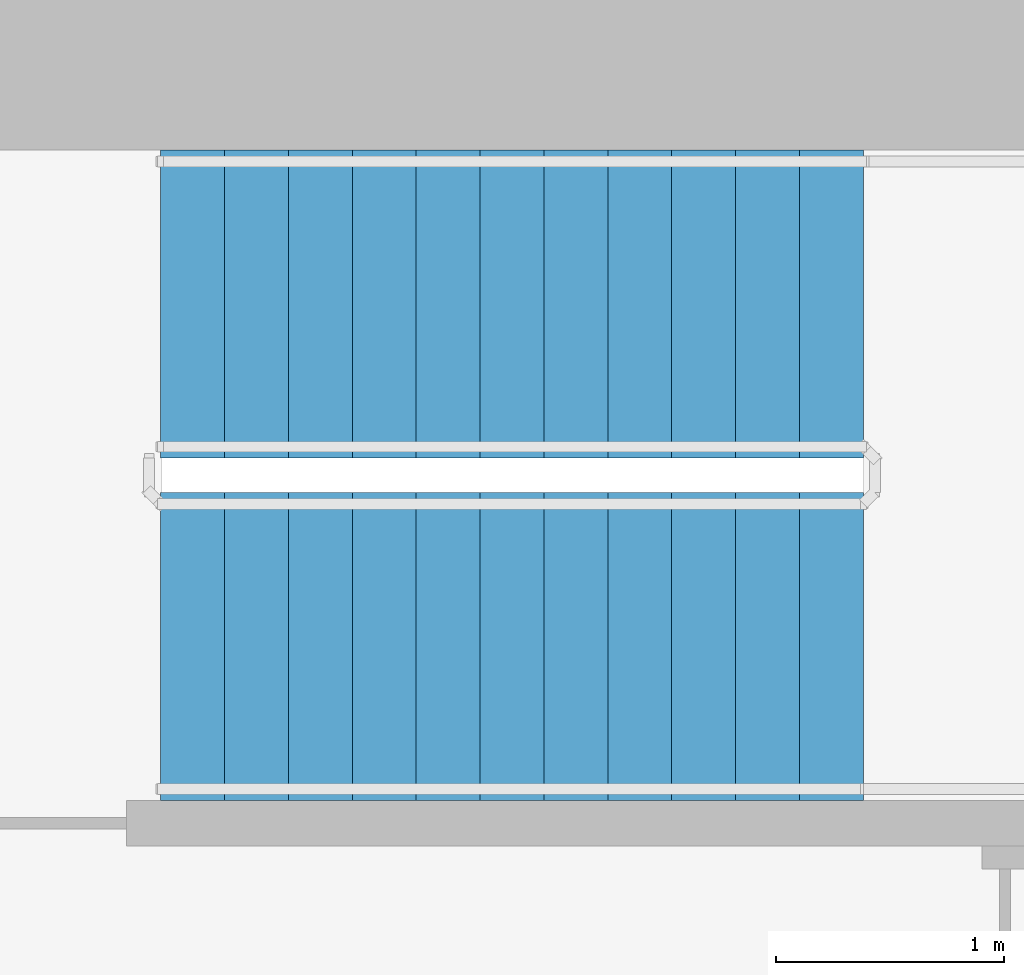
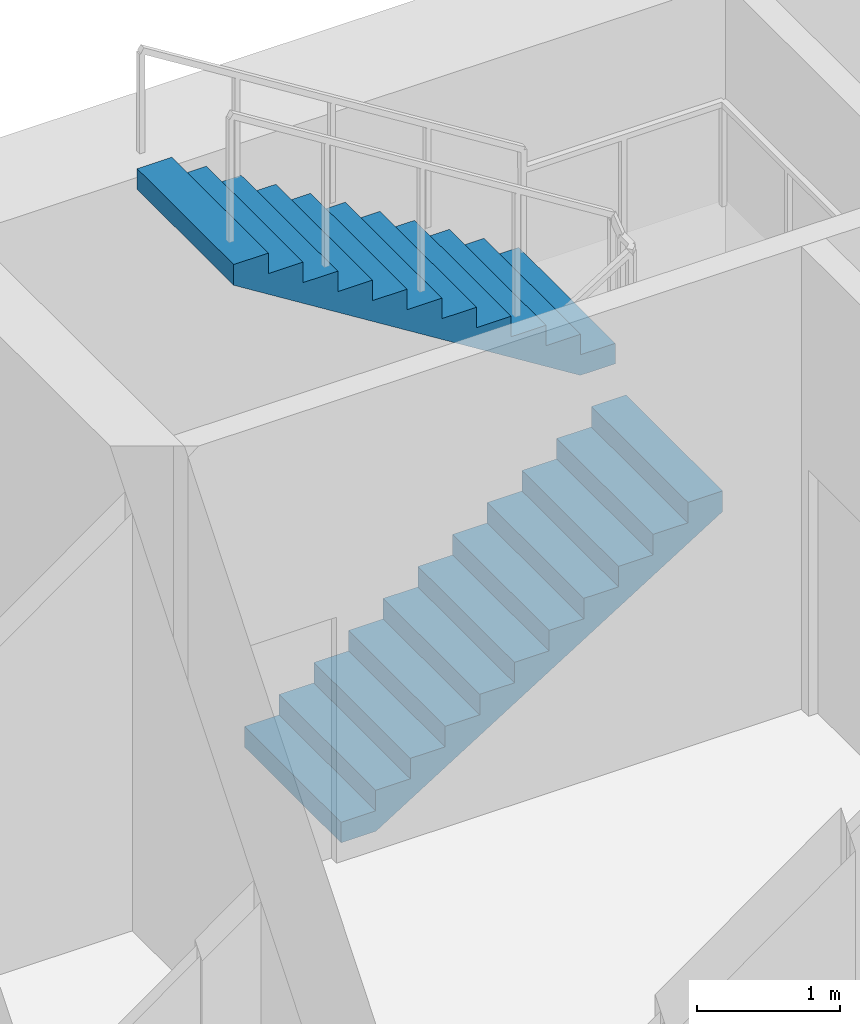
# One storey, part 12 of 16: 2 stair flights, 1 element without a shape of its own.
"""IFC4 building model written with IfcOpenShell, lengths in metres."""

from ifc_helpers import new_model, si_unit, direction, frame, origin, place, context, subcontext, project, spatial, polyline, outline, extrude, material, type_object, element, aggregate, save


model = new_model("IFC4")

# Units and contexts
model_context = context("Model", 3, precision=1e-05, world=origin(), true_north=direction((0.0, 1.0)))
body_context = subcontext(model_context, "Body", "Model", "MODEL_VIEW")
ifc_project = project(units=[si_unit("LENGTHUNIT", "METRE"), si_unit("AREAUNIT", "SQUARE_METRE"), si_unit("VOLUMEUNIT", "CUBIC_METRE"), si_unit("PLANEANGLEUNIT", "RADIAN"), si_unit("MASSUNIT", "GRAM", prefix="KILO")], contexts=[model_context])

# Site, building, storey
site_placement = place(None, origin())
site = spatial("IfcSite", under=ifc_project, at=site_placement, CompositionType="ELEMENT")
building_placement = place(site_placement, origin())
building = spatial("IfcBuilding", under=site, at=building_placement, Name="Perihelion Cross Residences", CompositionType="ELEMENT")
storey_placement = place(building_placement, frame((0.0, 0.0, 294.60009765625)))
storey = spatial("IfcBuildingStorey", under=building, at=storey_placement, Name="L75", CompositionType="ELEMENT", Elevation=294.60009765625)

# Stair, stair flights
ifc_material_1 = material(Name="Concrete C40/50", Category="concrete")
stair_type = type_object("IfcStairType", Name="Exit stair, half-turn", PredefinedType="HALF_TURN_STAIR", material=ifc_material_1)
stair_placement = place(storey_placement, origin())
stair = element("IfcStair", 1, at=stair_placement, inside=storey, type_object=stair_type, Name="L75 East core exit stair 1", PredefinedType="HALF_TURN_STAIR")
ifc_material_2 = material(Name="Concrete C40/50", Category="concrete")
stair_flight_type = type_object("IfcStairFlightType", Name="Exit stair flight", PredefinedType="STRAIGHT", material=ifc_material_2)
stair_flight_1_placement = place(storey_placement, frame((23.39990234375, 5.925048828125, 0.0), z_axis=(0.0, 0.0, 1.0), x_axis=(1.0, 0.0, 0.0)))
stair_flight_1 = element("IfcStairFlight", 2, at=stair_flight_1_placement, type_object=stair_flight_type, Name="ST-E1 flight 1", NumberOfRisers=12, NumberOfTreads=11, PredefinedType="STRAIGHT", RiserHeight=0.175, TreadLength=0.28, context=body_context, shape_type="SweptSolid", body=[
    extrude(outline(polyline([(0.0, 0.0), (0.0, 0.175048828125), (0.280029296875, 0.175048828125), (0.280029296875, 0.35009765625), (0.56005859375, 0.35009765625), (0.56005859375, 0.52490234375), (0.840087890625, 0.52490234375), (0.840087890625, 0.699951171875), (1.1201171875, 0.699951171875), (1.1201171875, 0.875), (1.39990234375, 0.875), (1.39990234375, 1.050048828125), (1.679931640625, 1.050048828125), (1.679931640625, 1.22509765625), (1.9599609375, 1.22509765625), (1.9599609375, 1.39990234375), (2.239990234375, 1.39990234375), (2.239990234375, 1.574951171875), (2.52001953125, 1.574951171875), (2.52001953125, 1.75), (2.800048828125, 1.75), (2.800048828125, 1.925048828125), (3.080078125, 1.925048828125), (3.080078125, 2.10009765625), (3.080078125, 1.748291015625), (0.28271484375, 0.0), (0.0, 0.0)])), frame((0.0, 0.675048828125, 0.0), z_axis=(0.0, -1.0, 0.0), x_axis=(1.0, 0.0, 0.0)), (0.0, 0.0, 1.0), 1.35009765625),
])
stair_flight_2_placement = place(storey_placement, frame((26.47998046875, 7.425048828125, 2.099853515625), z_axis=(0.0, 0.0, 1.0), x_axis=(-1.0, 0.0, 0.0)))
stair_flight_2 = element("IfcStairFlight", 3, at=stair_flight_2_placement, type_object=stair_flight_type, Name="ST-E1 flight 2", NumberOfRisers=12, NumberOfTreads=11, PredefinedType="STRAIGHT", RiserHeight=0.175, TreadLength=0.28, context=body_context, shape_type="SweptSolid", body=[
    extrude(outline(polyline([(0.0, 0.0), (0.0, 0.175048828125), (0.280029296875, 0.175048828125), (0.280029296875, 0.35009765625), (0.56005859375, 0.35009765625), (0.56005859375, 0.52490234375), (0.840087890625, 0.52490234375), (0.840087890625, 0.699951171875), (1.1201171875, 0.699951171875), (1.1201171875, 0.875), (1.39990234375, 0.875), (1.39990234375, 1.050048828125), (1.679931640625, 1.050048828125), (1.679931640625, 1.22509765625), (1.9599609375, 1.22509765625), (1.9599609375, 1.39990234375), (2.239990234375, 1.39990234375), (2.239990234375, 1.574951171875), (2.52001953125, 1.574951171875), (2.52001953125, 1.75), (2.800048828125, 1.75), (2.800048828125, 1.925048828125), (3.080078125, 1.925048828125), (3.080078125, 2.10009765625), (3.080078125, 1.748291015625), (0.28271484375, 0.0), (0.0, 0.0)])), frame((0.0, 0.675048828125, 0.0), z_axis=(0.0, -1.0, 0.0), x_axis=(1.0, 0.0, 0.0)), (0.0, 0.0, 1.0), 1.35009765625),
])
aggregate(stair, [stair_flight_1, stair_flight_2])

save(model, "model.ifc")
